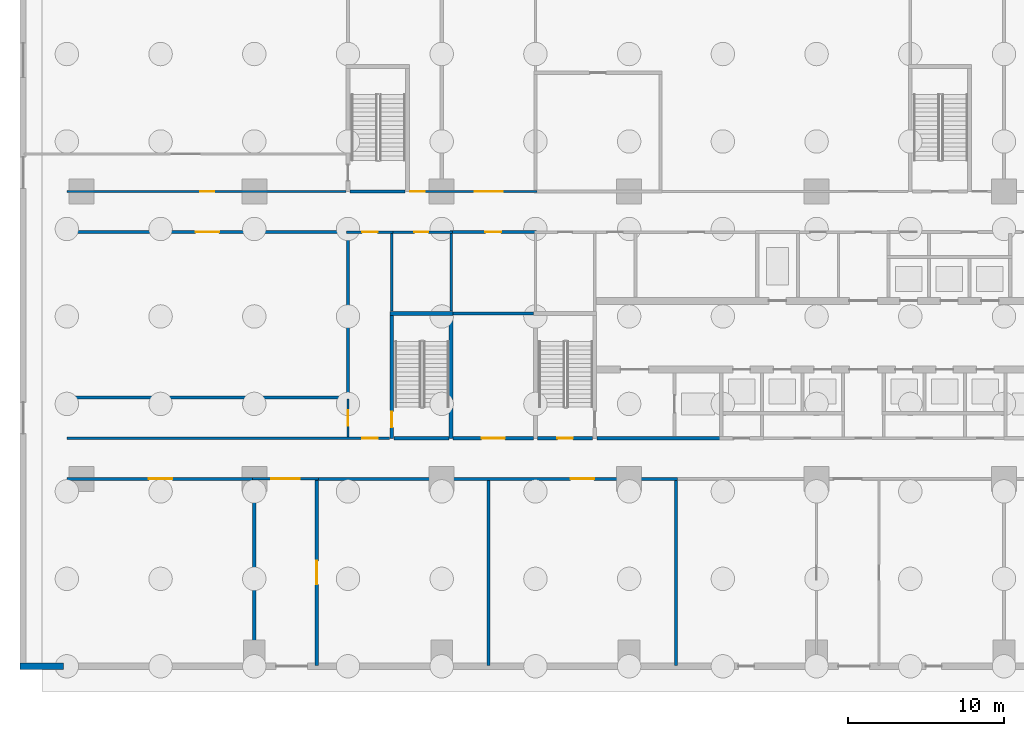
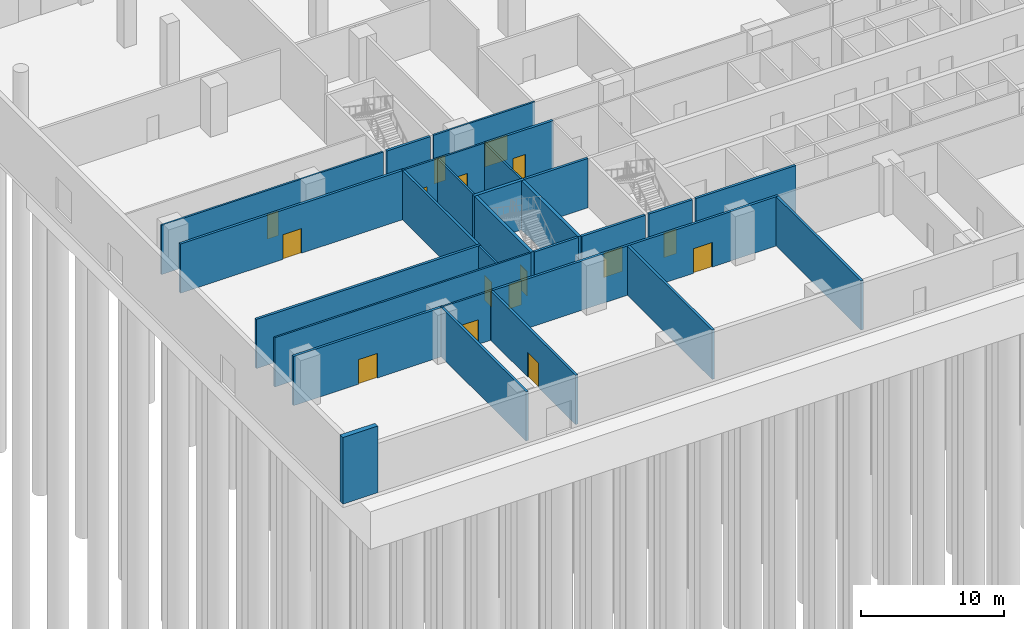
# One storey, part 12 of 27: 29 walls, 16 doors, 16 openings.
"""IFC4 building model written with IfcOpenShell, lengths in metres."""

from ifc_helpers import new_model, si_unit, direction, frame, frame_2d, origin, place, context, subcontext, project, spatial, rectangle, extrude, material, layer, layer_set, type_object, element, fill, save


model = new_model("IFC4")

# Units and contexts
model_context = context("Model", 3, precision=1e-05, world=origin(), true_north=direction((0.0, 1.0)))
body_context = subcontext(model_context, "Body", "Model", "MODEL_VIEW")
ifc_project = project(units=[si_unit("LENGTHUNIT", "METRE"), si_unit("AREAUNIT", "SQUARE_METRE"), si_unit("VOLUMEUNIT", "CUBIC_METRE"), si_unit("PLANEANGLEUNIT", "RADIAN"), si_unit("MASSUNIT", "GRAM", prefix="KILO")], contexts=[model_context])

# Site, building, storey
site_placement = place(None, origin())
site = spatial("IfcSite", under=ifc_project, at=site_placement, CompositionType="ELEMENT")
building_placement = place(site_placement, origin())
building = spatial("IfcBuilding", under=site, at=building_placement, Name="Poui Terraces", CompositionType="ELEMENT")
storey_placement = place(building_placement, origin())
storey = spatial("IfcBuildingStorey", under=building, at=storey_placement, Name="L00", CompositionType="ELEMENT", Elevation=0.0)

# Wall, opening, door
ifc_material_1 = material(Name="Fire-rated plasterboard wall")
ifc_layer_1 = layer(ifc_material_1, 0.14990234375)
ifc_layer_set_1 = layer_set([ifc_layer_1], Name="Fire-rated plasterboard wall")
wall_type_1 = type_object("IfcWallType", Name="CORRIDOR WALL 150", PredefinedType="PARTITIONING", material=ifc_layer_set_1)
wall_1_placement = place(storey_placement, frame((11.89990234375, 12.0, 0.0), z_axis=(0.0, 0.0, 1.0), x_axis=(1.0, 0.0, 0.0)))
wall_1 = element("IfcWall", 1, at=wall_1_placement, inside=storey, type_object=wall_type_1, Name="CORRIDOR WALL 150", PredefinedType="PARTITIONING", context=body_context, shape_type="SweptSolid", body=[
    extrude(rectangle(XDim=4.2001953125, YDim=0.14990234375, at=frame_2d((2.10009765625, 0.0))), origin(), (0.0, 0.0, 1.0), 4.199951171875),
])
opening_1_placement = place(wall_1_placement, frame((1.199951171875, 0.0, 0.0)))
opening_1 = element("IfcOpeningElement", 2, at=opening_1_placement, cuts=wall_1, Name="Opening FDD60", PredefinedType="OPENING", context=body_context, shape_type="SweptSolid", body=[
    extrude(rectangle(XDim=1.800048828125, YDim=2.10009765625, at=frame_2d((0.89990234375, 1.050048828125))), frame((0.0, 0.0849609375, 0.0), z_axis=(0.0, -1.0, 0.0), x_axis=(1.0, 0.0, 0.0)), (0.0, 0.0, 1.0), 0.169921875),
])
ifc_material_2 = material(Name="Steel fire door", Category="steel")
door_type_1 = type_object("IfcDoorType", Name="DOUBLE LOBBY FIRE DOOR 1800 X 2100", OperationType="DOUBLE_DOOR_SINGLE_SWING", PredefinedType="DOOR", material=ifc_material_2)
door_1_placement = place(opening_1_placement, origin())
door_1 = element("IfcDoor", 3, at=door_1_placement, inside=storey, type_object=door_type_1, Name="DOUBLE LOBBY FIRE DOOR 045", OperationType="DOUBLE_DOOR_SINGLE_SWING", OverallHeight=2.10009765625, OverallWidth=1.800048828125, PredefinedType="DOOR", context=body_context, shape_type="SweptSolid", body=[
    extrude(rectangle(XDim=1.800048828125, YDim=2.10009765625, at=frame_2d((0.89990234375, 1.050048828125))), frame((0.0, 0.02490234375, 0.0), z_axis=(0.0, -1.0, 0.0), x_axis=(1.0, 0.0, 0.0)), (0.0, 0.0, 1.0), 0.050048828125),
])
fill(opening_1, door_1)

wall_2_placement = place(storey_placement, frame((0.0, 14.60009765625, 0.0), z_axis=(0.0, 0.0, 1.0), x_axis=(1.0, 0.0, 0.0)))
wall_2 = element("IfcWall", 4, at=wall_2_placement, inside=storey, type_object=wall_type_1, Name="CORRIDOR WALL 150", PredefinedType="PARTITIONING", context=body_context, shape_type="SweptSolid", body=[
    extrude(rectangle(XDim=20.6650390625, YDim=0.14990234375, at=frame_2d((10.33251953125, 0.0))), origin(), (0.0, 0.0, 1.0), 4.199951171875),
])
opening_2_placement = place(wall_2_placement, frame((18.89990234375, 0.0, 0.0)))
opening_2 = element("IfcOpeningElement", 5, at=opening_2_placement, cuts=wall_2, Name="Opening FDL", PredefinedType="OPENING", context=body_context, shape_type="SweptSolid", body=[
    extrude(rectangle(XDim=1.0, YDim=2.10009765625, at=frame_2d((0.5, 1.050048828125))), frame((0.0, 0.0849609375, 0.0), z_axis=(0.0, -1.0, 0.0), x_axis=(1.0, 0.0, 0.0)), (0.0, 0.0, 1.0), 0.169921875),
])
door_type_2 = type_object("IfcDoorType", Name="LOBBY FIRE DOOR 1000 X 2100", OperationType="NOTDEFINED", PredefinedType="DOOR", material=ifc_material_2)
door_2_placement = place(opening_2_placement, frame((1.0, 0.0, 0.0), z_axis=(0.0, 0.0, 1.0), x_axis=(-1.0, 0.0, 0.0)))
door_2 = element("IfcDoor", 6, at=door_2_placement, inside=storey, type_object=door_type_2, Name="LOBBY FIRE DOOR 046", OperationType="SINGLE_SWING_LEFT", OverallHeight=2.10009765625, OverallWidth=1.0, PredefinedType="DOOR", context=body_context, shape_type="SweptSolid", body=[
    extrude(rectangle(XDim=1.0, YDim=2.10009765625, at=frame_2d((0.5, 1.050048828125))), frame((0.0, 0.02490234375, 0.0), z_axis=(0.0, -1.0, 0.0), x_axis=(1.0, 0.0, 0.0)), (0.0, 0.0, 1.0), 0.050048828125),
])
fill(opening_2, door_2)

wall_3_placement = place(storey_placement, frame((17.89990234375, 27.800048828125, 0.0), z_axis=(0.0, 0.0, 1.0), x_axis=(1.0, 0.0, 0.0)))
wall_3 = element("IfcWall", 7, at=wall_3_placement, inside=storey, type_object=wall_type_1, Name="CORRIDOR WALL 150", PredefinedType="PARTITIONING", context=body_context, shape_type="SweptSolid", body=[
    extrude(rectangle(XDim=2.97509765625, YDim=0.14990234375, at=frame_2d((1.487548828125, 0.0))), origin(), (0.0, 0.0, 1.0), 4.199951171875),
])
opening_3_placement = place(wall_3_placement, frame((1.0, 0.0, 0.0)))
opening_3 = element("IfcOpeningElement", 8, at=opening_3_placement, cuts=wall_3, Name="Opening FDL", PredefinedType="OPENING", context=body_context, shape_type="SweptSolid", body=[
    extrude(rectangle(XDim=1.0, YDim=2.10009765625, at=frame_2d((0.5, 1.050048828125))), frame((0.0, 0.0849609375, 0.0), z_axis=(0.0, -1.0, 0.0), x_axis=(1.0, 0.0, 0.0)), (0.0, 0.0, 1.0), 0.169921875),
])
door_3_placement = place(opening_3_placement, origin())
door_3 = element("IfcDoor", 9, at=door_3_placement, inside=storey, type_object=door_type_2, Name="LOBBY FIRE DOOR 020", OperationType="SINGLE_SWING_RIGHT", OverallHeight=2.10009765625, OverallWidth=1.0, PredefinedType="DOOR", context=body_context, shape_type="SweptSolid", body=[
    extrude(rectangle(XDim=1.0, YDim=2.10009765625, at=frame_2d((0.5, 1.050048828125))), frame((0.0, 0.02490234375, 0.0), z_axis=(0.0, -1.0, 0.0), x_axis=(1.0, 0.0, 0.0)), (0.0, 0.0, 1.0), 0.050048828125),
])
fill(opening_3, door_3)

wall_4_placement = place(storey_placement, frame((0.0, 30.39990234375, 0.0), z_axis=(0.0, 0.0, 1.0), x_axis=(1.0, 0.0, 0.0)))
wall_4 = element("IfcWall", 10, at=wall_4_placement, inside=storey, type_object=wall_type_1, Name="CORRIDOR WALL 150", PredefinedType="PARTITIONING", context=body_context, shape_type="SweptSolid", body=[
    extrude(rectangle(XDim=17.864990234375, YDim=0.14990234375, at=frame_2d((8.9326171875, 0.0))), origin(), (0.0, 0.0, 1.0), 4.199951171875),
])
opening_4_placement = place(wall_4_placement, frame((8.550048828125, 0.0, 0.0)))
opening_4 = element("IfcOpeningElement", 11, at=opening_4_placement, cuts=wall_4, Name="Opening D90", PredefinedType="OPENING", context=body_context, shape_type="SweptSolid", body=[
    extrude(rectangle(XDim=0.89990234375, YDim=2.10009765625, at=frame_2d((0.449951171875, 1.050048828125))), frame((0.0, 0.0849609375, 0.0), z_axis=(0.0, -1.0, 0.0), x_axis=(1.0, 0.0, 0.0)), (0.0, 0.0, 1.0), 0.169921875),
])
ifc_material_3 = material(Name="Solid core timber door", Category="wood")
door_type_3 = type_object("IfcDoorType", Name="INTERNAL DOOR 900 X 2100", OperationType="NOTDEFINED", PredefinedType="DOOR", material=ifc_material_3)
door_4_placement = place(opening_4_placement, frame((0.89990234375, 0.0, 0.0), z_axis=(0.0, 0.0, 1.0), x_axis=(-1.0, 0.0, 0.0)))
door_4 = element("IfcDoor", 12, at=door_4_placement, inside=storey, type_object=door_type_3, Name="INTERNAL DOOR 019", OperationType="SINGLE_SWING_RIGHT", OverallHeight=2.10009765625, OverallWidth=0.89990234375, PredefinedType="DOOR", context=body_context, shape_type="SweptSolid", body=[
    extrude(rectangle(XDim=0.89990234375, YDim=2.10009765625, at=frame_2d((0.449951171875, 1.050048828125))), frame((0.0, 0.02490234375, 0.0), z_axis=(0.0, -1.0, 0.0), x_axis=(1.0, 0.0, 0.0)), (0.0, 0.0, 1.0), 0.050048828125),
])
fill(opening_4, door_4)

# Wall, openings, doors
wall_5_placement = place(storey_placement, frame((21.93505859375, 30.39990234375, 0.0), z_axis=(0.0, 0.0, 1.0), x_axis=(1.0, 0.0, 0.0)))
wall_5 = element("IfcWall", 13, at=wall_5_placement, inside=storey, type_object=wall_type_1, Name="CORRIDOR WALL 150", PredefinedType="PARTITIONING", context=body_context, shape_type="SweptSolid", body=[
    extrude(rectangle(XDim=8.1650390625, YDim=0.14990234375, at=frame_2d((4.08251953125, 0.0))), origin(), (0.0, 0.0, 1.0), 4.199951171875),
])
opening_5_placement = place(wall_5_placement, frame((0.06494140625, 0.0, 0.0)))
opening_5 = element("IfcOpeningElement", 14, at=opening_5_placement, cuts=wall_5, Name="Opening D90", PredefinedType="OPENING", context=body_context, shape_type="SweptSolid", body=[
    extrude(rectangle(XDim=0.89990234375, YDim=2.10009765625, at=frame_2d((0.449951171875, 1.050048828125))), frame((0.0, 0.0849609375, 0.0), z_axis=(0.0, -1.0, 0.0), x_axis=(1.0, 0.0, 0.0)), (0.0, 0.0, 1.0), 0.169921875),
])
opening_6_placement = place(wall_5_placement, frame((4.1650390625, 0.0, 0.0)))
opening_6 = element("IfcOpeningElement", 15, at=opening_6_placement, cuts=wall_5, Name="Opening DD180", PredefinedType="OPENING", context=body_context, shape_type="SweptSolid", body=[
    extrude(rectangle(XDim=1.800048828125, YDim=2.10009765625, at=frame_2d((0.89990234375, 1.050048828125))), frame((0.0, 0.0849609375, 0.0), z_axis=(0.0, -1.0, 0.0), x_axis=(1.0, 0.0, 0.0)), (0.0, 0.0, 1.0), 0.169921875),
])
door_type_4 = type_object("IfcDoorType", Name="DOUBLE INTERNAL DOOR 1800 X 2100", OperationType="DOUBLE_DOOR_SINGLE_SWING", PredefinedType="DOOR", material=ifc_material_2)
door_5_placement = place(opening_6_placement, frame((1.800048828125, 0.0, 0.0), z_axis=(0.0, 0.0, 1.0), x_axis=(-1.0, 0.0, 0.0)))
door_5 = element("IfcDoor", 16, at=door_5_placement, inside=storey, type_object=door_type_4, Name="DOUBLE INTERNAL DOOR 023", OperationType="DOUBLE_DOOR_SINGLE_SWING", OverallHeight=2.10009765625, OverallWidth=1.800048828125, PredefinedType="DOOR", context=body_context, shape_type="SweptSolid", body=[
    extrude(rectangle(XDim=1.800048828125, YDim=2.10009765625, at=frame_2d((0.89990234375, 1.050048828125))), frame((0.0, 0.02490234375, 0.0), z_axis=(0.0, -1.0, 0.0), x_axis=(1.0, 0.0, 0.0)), (0.0, 0.0, 1.0), 0.050048828125),
])
fill(opening_6, door_5)
door_6_placement = place(opening_5_placement, frame((0.89990234375, 0.0, 0.0), z_axis=(0.0, 0.0, 1.0), x_axis=(-1.0, 0.0, 0.0)))
door_6 = element("IfcDoor", 17, at=door_6_placement, inside=storey, type_object=door_type_3, Name="INTERNAL DOOR 021", OperationType="SINGLE_SWING_LEFT", OverallHeight=2.10009765625, OverallWidth=0.89990234375, PredefinedType="DOOR", context=body_context, shape_type="SweptSolid", body=[
    extrude(rectangle(XDim=0.89990234375, YDim=2.10009765625, at=frame_2d((0.449951171875, 1.050048828125))), frame((0.0, 0.02490234375, 0.0), z_axis=(0.0, -1.0, 0.0), x_axis=(1.0, 0.0, 0.0)), (0.0, 0.0, 1.0), 0.050048828125),
])
fill(opening_5, door_6)

# Wall, opening, door
wall_6_placement = place(storey_placement, frame((18.0, 14.675048828125, 0.0), z_axis=(0.0, 0.0, 1.0), x_axis=(0.0, 1.0, 0.0)))
wall_6 = element("IfcWall", 18, at=wall_6_placement, inside=storey, type_object=wall_type_1, Name="CORRIDOR WALL 150", PredefinedType="PARTITIONING", context=body_context, shape_type="SweptSolid", body=[
    extrude(rectangle(XDim=2.425048828125, YDim=0.14990234375, at=frame_2d((1.21240234375, 0.0))), origin(), (0.0, 0.0, 1.0), 4.199951171875),
])
opening_7_placement = place(wall_6_placement, frame((0.72509765625, 0.0, 0.0)))
opening_7 = element("IfcOpeningElement", 19, at=opening_7_placement, cuts=wall_6, Name="Opening FDL", PredefinedType="OPENING", context=body_context, shape_type="SweptSolid", body=[
    extrude(rectangle(XDim=1.0, YDim=2.10009765625, at=frame_2d((0.5, 1.050048828125))), frame((0.0, 0.0849609375, 0.0), z_axis=(0.0, -1.0, 0.0), x_axis=(1.0, 0.0, 0.0)), (0.0, 0.0, 1.0), 0.169921875),
])
door_7_placement = place(opening_7_placement, frame((1.0, 0.0, 0.0), z_axis=(0.0, 0.0, 1.0), x_axis=(-1.0, 0.0, 0.0)))
door_7 = element("IfcDoor", 20, at=door_7_placement, inside=storey, type_object=door_type_2, Name="LOBBY FIRE DOOR 113", OperationType="SINGLE_SWING_LEFT", OverallHeight=2.10009765625, OverallWidth=1.0, PredefinedType="DOOR", context=body_context, shape_type="SweptSolid", body=[
    extrude(rectangle(XDim=1.0, YDim=2.10009765625, at=frame_2d((0.5, 1.050048828125))), frame((0.0, 0.02490234375, 0.0), z_axis=(0.0, -1.0, 0.0), x_axis=(1.0, 0.0, 0.0)), (0.0, 0.0, 1.0), 0.050048828125),
])
fill(opening_7, door_7)

# Wall
ifc_material_4 = material(Name="Precast concrete 40 MPa", Category="concrete")
ifc_layer_2 = layer(ifc_material_4, 0.39990234375)
ifc_layer_set_2 = layer_set([ifc_layer_2], Name="Precast concrete 40 MPa")
wall_type_2 = type_object("IfcWallType", Name="EXTERNAL WALL 400", PredefinedType="STANDARD", material=ifc_layer_set_2)
wall_7_placement = place(storey_placement, frame((-3.0, 0.0, 0.0), z_axis=(0.0, 0.0, 1.0), x_axis=(1.0, 0.0, 0.0)))
element("IfcWall", 21, at=wall_7_placement, inside=storey, type_object=wall_type_2, Name="EXTERNAL WALL S", PredefinedType="STANDARD", context=body_context, shape_type="SweptSolid", body=[
    extrude(rectangle(XDim=2.800048828125, YDim=0.39990234375, at=frame_2d((1.39990234375, 0.0))), origin(), (0.0, 0.0, 1.0), 5.679931640625),
])

# Wall, opening, door
ifc_material_5 = material(Name="Fire-rated masonry wall", Category="masonry")
ifc_layer_3 = layer(ifc_material_5, 0.199951171875)
ifc_layer_set_3 = layer_set([ifc_layer_3], Name="Fire-rated masonry wall")
wall_type_3 = type_object("IfcWallType", Name="PLANT ROOM WALL 200", PredefinedType="PARTITIONING", material=ifc_layer_set_3)
wall_8_placement = place(storey_placement, frame((0.0, 12.0, 0.0), z_axis=(0.0, 0.0, 1.0), x_axis=(1.0, 0.0, 0.0)))
wall_8 = element("IfcWall", 22, at=wall_8_placement, inside=storey, type_object=wall_type_3, Name="PLANT ROOM WALL 200", PredefinedType="PARTITIONING", context=body_context, shape_type="SweptSolid", body=[
    extrude(rectangle(XDim=12.10009765625, YDim=0.199951171875, at=frame_2d((6.050048828125, 0.0))), origin(), (0.0, 0.0, 1.0), 4.199951171875),
])
opening_8_placement = place(wall_8_placement, frame((5.25, 0.0, 0.0)))
opening_8 = element("IfcOpeningElement", 23, at=opening_8_placement, cuts=wall_8, Name="Opening FDP", PredefinedType="OPENING", context=body_context, shape_type="SweptSolid", body=[
    extrude(rectangle(XDim=1.5, YDim=2.10009765625, at=frame_2d((0.75, 1.050048828125))), frame((0.0, 0.10986328125, 0.0), z_axis=(0.0, -1.0, 0.0), x_axis=(1.0, 0.0, 0.0)), (0.0, 0.0, 1.0), 0.219970703125),
])
door_type_5 = type_object("IfcDoorType", Name="PLANT ROOM DOOR PAIR 1500 X 2100", OperationType="DOUBLE_DOOR_SINGLE_SWING", PredefinedType="DOOR", material=ifc_material_2)
door_8_placement = place(opening_8_placement, origin())
door_8 = element("IfcDoor", 24, at=door_8_placement, inside=storey, type_object=door_type_5, Name="PLANT ROOM DOOR PAIR 044", OperationType="DOUBLE_DOOR_SINGLE_SWING", OverallHeight=2.10009765625, OverallWidth=1.5, PredefinedType="DOOR", context=body_context, shape_type="SweptSolid", body=[
    extrude(rectangle(XDim=1.5, YDim=2.10009765625, at=frame_2d((0.75, 1.050048828125))), frame((0.0, 0.02490234375, 0.0), z_axis=(0.0, -1.0, 0.0), x_axis=(1.0, 0.0, 0.0)), (0.0, 0.0, 1.0), 0.050048828125),
])
fill(opening_8, door_8)

wall_9_placement = place(storey_placement, frame((15.89990234375, 12.0, 0.0), z_axis=(0.0, 0.0, 1.0), x_axis=(1.0, 0.0, 0.0)))
wall_9 = element("IfcWall", 25, at=wall_9_placement, inside=storey, type_object=wall_type_3, Name="PLANT ROOM WALL 200", PredefinedType="PARTITIONING", context=body_context, shape_type="SweptSolid", body=[
    extrude(rectangle(XDim=23.2001953125, YDim=0.199951171875, at=frame_2d((11.60009765625, 0.0))), origin(), (0.0, 0.0, 1.0), 4.199951171875),
])
opening_9_placement = place(wall_9_placement, frame((16.35009765625, 0.0, 0.0)))
opening_9 = element("IfcOpeningElement", 26, at=opening_9_placement, cuts=wall_9, Name="Opening FDP", PredefinedType="OPENING", context=body_context, shape_type="SweptSolid", body=[
    extrude(rectangle(XDim=1.5, YDim=2.10009765625, at=frame_2d((0.75, 1.050048828125))), frame((0.0, 0.10986328125, 0.0), z_axis=(0.0, -1.0, 0.0), x_axis=(1.0, 0.0, 0.0)), (0.0, 0.0, 1.0), 0.219970703125),
])
door_9_placement = place(opening_9_placement, origin())
door_9 = element("IfcDoor", 27, at=door_9_placement, inside=storey, type_object=door_type_5, Name="PLANT ROOM DOOR PAIR 049", OperationType="DOUBLE_DOOR_SINGLE_SWING", OverallHeight=2.10009765625, OverallWidth=1.5, PredefinedType="DOOR", context=body_context, shape_type="SweptSolid", body=[
    extrude(rectangle(XDim=1.5, YDim=2.10009765625, at=frame_2d((0.75, 1.050048828125))), frame((0.0, 0.02490234375, 0.0), z_axis=(0.0, -1.0, 0.0), x_axis=(1.0, 0.0, 0.0)), (0.0, 0.0, 1.0), 0.050048828125),
])
fill(opening_9, door_9)

wall_10_placement = place(storey_placement, frame((24.735107421875, 14.60009765625, 0.0), z_axis=(0.0, 0.0, 1.0), x_axis=(1.0, 0.0, 0.0)))
wall_10 = element("IfcWall", 28, at=wall_10_placement, inside=storey, type_object=wall_type_3, Name="PLANT ROOM WALL 200", PredefinedType="PARTITIONING", context=body_context, shape_type="SweptSolid", body=[
    extrude(rectangle(XDim=5.1298828125, YDim=0.199951171875, at=frame_2d((2.56494140625, 0.0))), origin(), (0.0, 0.0, 1.0), 4.199951171875),
])
opening_10_placement = place(wall_10_placement, frame((1.81494140625, 0.0, 0.0)))
opening_10 = element("IfcOpeningElement", 29, at=opening_10_placement, cuts=wall_10, Name="Opening FDP", PredefinedType="OPENING", context=body_context, shape_type="SweptSolid", body=[
    extrude(rectangle(XDim=1.5, YDim=2.10009765625, at=frame_2d((0.75, 1.050048828125))), frame((0.0, 0.10986328125, 0.0), z_axis=(0.0, -1.0, 0.0), x_axis=(1.0, 0.0, 0.0)), (0.0, 0.0, 1.0), 0.219970703125),
])
door_10_placement = place(opening_10_placement, frame((1.5, 0.0, 0.0), z_axis=(0.0, 0.0, 1.0), x_axis=(-1.0, 0.0, 0.0)))
door_10 = element("IfcDoor", 30, at=door_10_placement, inside=storey, type_object=door_type_5, Name="PLANT ROOM DOOR PAIR 047", OperationType="DOUBLE_DOOR_SINGLE_SWING", OverallHeight=2.10009765625, OverallWidth=1.5, PredefinedType="DOOR", context=body_context, shape_type="SweptSolid", body=[
    extrude(rectangle(XDim=1.5, YDim=2.10009765625, at=frame_2d((0.75, 1.050048828125))), frame((0.0, 0.02490234375, 0.0), z_axis=(0.0, -1.0, 0.0), x_axis=(1.0, 0.0, 0.0)), (0.0, 0.0, 1.0), 0.050048828125),
])
fill(opening_10, door_10)

# Walls
wall_11_placement = place(storey_placement, frame((0.0, 17.199951171875, 0.0), z_axis=(0.0, 0.0, 1.0), x_axis=(1.0, 0.0, 0.0)))
element("IfcWall", 31, at=wall_11_placement, inside=storey, type_object=wall_type_3, Name="PLANT ROOM WALL 200", PredefinedType="PARTITIONING", context=body_context, shape_type="SweptSolid", body=[
    extrude(rectangle(XDim=18.10009765625, YDim=0.199951171875, at=frame_2d((9.050048828125, 0.0))), origin(), (0.0, 0.0, 1.0), 4.199951171875),
])
wall_12_placement = place(storey_placement, frame((24.735107421875, 22.60009765625, 0.0), z_axis=(0.0, 0.0, 1.0), x_axis=(1.0, 0.0, 0.0)))
element("IfcWall", 32, at=wall_12_placement, inside=storey, type_object=wall_type_3, Name="PLANT ROOM WALL 200", PredefinedType="PARTITIONING", context=body_context, shape_type="SweptSolid", body=[
    extrude(rectangle(XDim=5.1298828125, YDim=0.199951171875, at=frame_2d((2.56494140625, 0.0))), origin(), (0.0, 0.0, 1.0), 4.199951171875),
])

# Wall, opening, door
wall_13_placement = place(storey_placement, frame((0.0, 27.800048828125, 0.0), z_axis=(0.0, 0.0, 1.0), x_axis=(1.0, 0.0, 0.0)))
wall_13 = element("IfcWall", 33, at=wall_13_placement, inside=storey, type_object=wall_type_3, Name="PLANT ROOM WALL 200", PredefinedType="PARTITIONING", context=body_context, shape_type="SweptSolid", body=[
    extrude(rectangle(XDim=18.10009765625, YDim=0.199951171875, at=frame_2d((9.050048828125, 0.0))), origin(), (0.0, 0.0, 1.0), 4.199951171875),
])
opening_11_placement = place(wall_13_placement, frame((8.25, 0.0, 0.0)))
opening_11 = element("IfcOpeningElement", 34, at=opening_11_placement, cuts=wall_13, Name="Opening FDP", PredefinedType="OPENING", context=body_context, shape_type="SweptSolid", body=[
    extrude(rectangle(XDim=1.5, YDim=2.10009765625, at=frame_2d((0.75, 1.050048828125))), frame((0.0, 0.10986328125, 0.0), z_axis=(0.0, -1.0, 0.0), x_axis=(1.0, 0.0, 0.0)), (0.0, 0.0, 1.0), 0.219970703125),
])
door_11_placement = place(opening_11_placement, origin())
door_11 = element("IfcDoor", 35, at=door_11_placement, inside=storey, type_object=door_type_5, Name="PLANT ROOM DOOR PAIR 018", OperationType="DOUBLE_DOOR_SINGLE_SWING", OverallHeight=2.10009765625, OverallWidth=1.5, PredefinedType="DOOR", context=body_context, shape_type="SweptSolid", body=[
    extrude(rectangle(XDim=1.5, YDim=2.10009765625, at=frame_2d((0.75, 1.050048828125))), frame((0.0, 0.02490234375, 0.0), z_axis=(0.0, -1.0, 0.0), x_axis=(1.0, 0.0, 0.0)), (0.0, 0.0, 1.0), 0.050048828125),
])
fill(opening_11, door_11)

wall_14_placement = place(storey_placement, frame((24.52490234375, 27.800048828125, 0.0), z_axis=(0.0, 0.0, 1.0), x_axis=(1.0, 0.0, 0.0)))
wall_14 = element("IfcWall", 36, at=wall_14_placement, inside=storey, type_object=wall_type_3, Name="PLANT ROOM WALL 200", PredefinedType="PARTITIONING", context=body_context, shape_type="SweptSolid", body=[
    extrude(rectangle(XDim=5.550048828125, YDim=0.199951171875, at=frame_2d((2.77490234375, 0.0))), origin(), (0.0, 0.0, 1.0), 4.199951171875),
])
opening_12_placement = place(wall_14_placement, frame((2.27490234375, 0.0, 0.0)))
opening_12 = element("IfcOpeningElement", 37, at=opening_12_placement, cuts=wall_14, Name="Opening FD60", PredefinedType="OPENING", context=body_context, shape_type="SweptSolid", body=[
    extrude(rectangle(XDim=1.0, YDim=2.10009765625, at=frame_2d((0.5, 1.050048828125))), frame((0.0, 0.10986328125, 0.0), z_axis=(0.0, -1.0, 0.0), x_axis=(1.0, 0.0, 0.0)), (0.0, 0.0, 1.0), 0.219970703125),
])
door_type_6 = type_object("IfcDoorType", Name="SERVICE ROOM FIRE DOOR 1000 X 2100", OperationType="NOTDEFINED", PredefinedType="DOOR", material=ifc_material_2)
door_12_placement = place(opening_12_placement, origin())
door_12 = element("IfcDoor", 38, at=door_12_placement, inside=storey, type_object=door_type_6, Name="SERVICE ROOM FIRE DOOR 024", OperationType="SINGLE_SWING_LEFT", OverallHeight=2.10009765625, OverallWidth=1.0, PredefinedType="DOOR", context=body_context, shape_type="SweptSolid", body=[
    extrude(rectangle(XDim=1.0, YDim=2.10009765625, at=frame_2d((0.5, 1.050048828125))), frame((0.0, 0.02490234375, 0.0), z_axis=(0.0, -1.0, 0.0), x_axis=(1.0, 0.0, 0.0)), (0.0, 0.0, 1.0), 0.050048828125),
])
fill(opening_12, door_12)

# Wall
wall_15_placement = place(storey_placement, frame((12.0, 0.06005859375, 0.0), z_axis=(0.0, 0.0, 1.0), x_axis=(0.0, 1.0, 0.0)))
element("IfcWall", 39, at=wall_15_placement, inside=storey, type_object=wall_type_3, Name="PLANT ROOM WALL 200", PredefinedType="PARTITIONING", context=body_context, shape_type="SweptSolid", body=[
    extrude(rectangle(XDim=11.83984375, YDim=0.199951171875, at=frame_2d((5.919921875, 0.0))), origin(), (0.0, 0.0, 1.0), 4.199951171875),
])

# Wall, opening, door
wall_16_placement = place(storey_placement, frame((16.0, 0.06005859375, 0.0), z_axis=(0.0, 0.0, 1.0), x_axis=(0.0, 1.0, 0.0)))
wall_16 = element("IfcWall", 40, at=wall_16_placement, inside=storey, type_object=wall_type_3, Name="PLANT ROOM WALL 200", PredefinedType="PARTITIONING", context=body_context, shape_type="SweptSolid", body=[
    extrude(rectangle(XDim=11.83984375, YDim=0.199951171875, at=frame_2d((5.919921875, 0.0))), origin(), (0.0, 0.0, 1.0), 4.199951171875),
])
opening_13_placement = place(wall_16_placement, frame((5.18994140625, 0.0, 0.0)))
opening_13 = element("IfcOpeningElement", 41, at=opening_13_placement, cuts=wall_16, Name="Opening FDP", PredefinedType="OPENING", context=body_context, shape_type="SweptSolid", body=[
    extrude(rectangle(XDim=1.5, YDim=2.10009765625, at=frame_2d((0.75, 1.050048828125))), frame((0.0, 0.10986328125, 0.0), z_axis=(0.0, -1.0, 0.0), x_axis=(1.0, 0.0, 0.0)), (0.0, 0.0, 1.0), 0.219970703125),
])
door_13_placement = place(opening_13_placement, origin())
door_13 = element("IfcDoor", 42, at=door_13_placement, inside=storey, type_object=door_type_5, Name="PLANT ROOM DOOR PAIR 002", OperationType="DOUBLE_DOOR_SINGLE_SWING", OverallHeight=2.10009765625, OverallWidth=1.5, PredefinedType="DOOR", context=body_context, shape_type="SweptSolid", body=[
    extrude(rectangle(XDim=1.5, YDim=2.10009765625, at=frame_2d((0.75, 1.050048828125))), frame((0.0, 0.02490234375, 0.0), z_axis=(0.0, -1.0, 0.0), x_axis=(1.0, 0.0, 0.0)), (0.0, 0.0, 1.0), 0.050048828125),
])
fill(opening_13, door_13)

# Walls
wall_17_placement = place(storey_placement, frame((18.0, 17.300048828125, 0.0), z_axis=(0.0, 0.0, 1.0), x_axis=(0.0, 1.0, 0.0)))
element("IfcWall", 43, at=wall_17_placement, inside=storey, type_object=wall_type_3, Name="PLANT ROOM WALL 200", PredefinedType="PARTITIONING", context=body_context, shape_type="SweptSolid", body=[
    extrude(rectangle(XDim=10.39990234375, YDim=0.199951171875, at=frame_2d((5.199951171875, 0.0))), origin(), (0.0, 0.0, 1.0), 4.199951171875),
])
for number, where, z_axis, x_axis, name in (
    (44, (27.0, 0.06005859375, 0.0), (0.0, 0.0, 1.0), (0.0, 1.0, 0.0), "PLANT ROOM WALL 200"),
    (45, (39.0, 0.06005859375, 0.0), (0.0, 0.0, 1.0), (0.0, 1.0, 0.0), "PLANT ROOM WALL 200"),
):
    element("IfcWall", number, at=place(storey_placement, frame(where, z_axis=z_axis, x_axis=x_axis)), inside=storey, type_object=wall_type_3, Name=name, PredefinedType="PARTITIONING", context=body_context, shape_type="SweptSolid", body=[
        extrude(rectangle(XDim=11.83984375, YDim=0.199951171875, at=frame_2d((5.919921875, 0.0))), origin(), (0.0, 0.0, 1.0), 4.199951171875),
    ])

# Wall, opening, door
ifc_material_6 = material(Name="Fire-rated plasterboard riser wall")
ifc_layer_4 = layer(ifc_material_6, 0.14990234375)
ifc_layer_set_4 = layer_set([ifc_layer_4], Name="Fire-rated plasterboard riser wall")
wall_type_4 = type_object("IfcWallType", Name="RISER WALL 150", PredefinedType="PARTITIONING", material=ifc_layer_set_4)
wall_18_placement = place(storey_placement, frame((20.72509765625, 27.800048828125, 0.0), z_axis=(0.0, 0.0, 1.0), x_axis=(1.0, 0.0, 0.0)))
wall_18 = element("IfcWall", 46, at=wall_18_placement, inside=storey, type_object=wall_type_4, Name="RISER WALL 150", PredefinedType="PARTITIONING", context=body_context, shape_type="SweptSolid", body=[
    extrude(rectangle(XDim=3.949951171875, YDim=0.14990234375, at=frame_2d((1.97509765625, 0.0))), origin(), (0.0, 0.0, 1.0), 4.199951171875),
])
opening_14_placement = place(wall_18_placement, frame((1.52490234375, 0.0, 0.0)))
opening_14 = element("IfcOpeningElement", 47, at=opening_14_placement, cuts=wall_18, Name="Opening FDR", PredefinedType="OPENING", context=body_context, shape_type="SweptSolid", body=[
    extrude(rectangle(XDim=0.89990234375, YDim=2.10009765625, at=frame_2d((0.449951171875, 1.050048828125))), frame((0.0, 0.0849609375, 0.0), z_axis=(0.0, -1.0, 0.0), x_axis=(1.0, 0.0, 0.0)), (0.0, 0.0, 1.0), 0.169921875),
])
door_type_7 = type_object("IfcDoorType", Name="RISER CUPBOARD DOOR 900 X 2100", OperationType="NOTDEFINED", PredefinedType="DOOR", material=ifc_material_2)
door_14_placement = place(opening_14_placement, origin())
door_14 = element("IfcDoor", 48, at=door_14_placement, inside=storey, type_object=door_type_7, Name="RISER CUPBOARD DOOR 022", OperationType="SINGLE_SWING_RIGHT", OverallHeight=2.10009765625, OverallWidth=0.89990234375, PredefinedType="DOOR", context=body_context, shape_type="SweptSolid", body=[
    extrude(rectangle(XDim=0.89990234375, YDim=2.10009765625, at=frame_2d((0.449951171875, 1.050048828125))), frame((0.0, 0.02490234375, 0.0), z_axis=(0.0, -1.0, 0.0), x_axis=(1.0, 0.0, 0.0)), (0.0, 0.0, 1.0), 0.050048828125),
])
fill(opening_14, door_14)

# Walls
wall_19_placement = place(storey_placement, frame((20.800048828125, 22.735107421875, 0.0), z_axis=(0.0, 0.0, 1.0), x_axis=(0.0, 1.0, 0.0)))
element("IfcWall", 49, at=wall_19_placement, inside=storey, type_object=wall_type_4, Name="RISER WALL 150", PredefinedType="PARTITIONING", context=body_context, shape_type="SweptSolid", body=[
    extrude(rectangle(XDim=4.989990234375, YDim=0.14990234375, at=frame_2d((2.4951171875, 0.0))), origin(), (0.0, 0.0, 1.0), 4.199951171875),
])
wall_20_placement = place(storey_placement, frame((24.60009765625, 22.735107421875, 0.0), z_axis=(0.0, 0.0, 1.0), x_axis=(0.0, 1.0, 0.0)))
element("IfcWall", 50, at=wall_20_placement, inside=storey, type_object=wall_type_4, Name="RISER WALL 150", PredefinedType="PARTITIONING", context=body_context, shape_type="SweptSolid", body=[
    extrude(rectangle(XDim=4.96484375, YDim=0.14990234375, at=frame_2d((2.482421875, 0.0))), origin(), (0.0, 0.0, 1.0), 4.199951171875),
])
ifc_material_7 = material(Name="Fire-rated masonry shaft wall", Category="masonry")
ifc_layer_5 = layer(ifc_material_7, 0.199951171875)
ifc_layer_set_5 = layer_set([ifc_layer_5], Name="Fire-rated masonry shaft wall")
wall_type_5 = type_object("IfcWallType", Name="SHAFT WALL 200", PredefinedType="PARTITIONING", material=ifc_layer_set_5)
wall_21_placement = place(storey_placement, frame((33.93505859375, 14.60009765625, 0.0), z_axis=(0.0, 0.0, 1.0), x_axis=(1.0, 0.0, 0.0)))
element("IfcWall", 51, at=wall_21_placement, inside=storey, type_object=wall_type_5, Name="SHAFT WALL 200", PredefinedType="PARTITIONING", context=body_context, shape_type="SweptSolid", body=[
    extrude(rectangle(XDim=8.06494140625, YDim=0.199951171875, at=frame_2d((4.032470703125, 0.0))), origin(), (0.0, 0.0, 1.0), 4.199951171875),
])

# Wall, opening, door
ifc_material_8 = material(Name="Concrete 80 MPa", Category="concrete")
ifc_layer_6 = layer(ifc_material_8, 0.25)
ifc_layer_set_6 = layer_set([ifc_layer_6], Name="Concrete 80 MPa")
wall_type_6 = type_object("IfcWallType", Name="STAIR CORE WALL 250 80 MPA", PredefinedType="SOLIDWALL", material=ifc_layer_set_6)
wall_22_placement = place(storey_placement, frame((20.800048828125, 14.60009765625, 0.0), z_axis=(0.0, 0.0, 1.0), x_axis=(0.0, 1.0, 0.0)))
wall_22 = element("IfcWall", 52, at=wall_22_placement, inside=storey, type_object=wall_type_6, Name="STAIR CORE WALL", PredefinedType="SOLIDWALL", context=body_context, shape_type="SweptSolid", body=[
    extrude(rectangle(XDim=7.875, YDim=0.25, at=frame_2d((3.9375, 0.0))), origin(), (0.0, 0.0, 1.0), 4.199951171875),
])
opening_15_placement = place(wall_22_placement, frame((0.699951171875, 0.0, 0.0)))
opening_15 = element("IfcOpeningElement", 53, at=opening_15_placement, cuts=wall_22, Name="Opening FD60S", PredefinedType="OPENING", context=body_context, shape_type="SweptSolid", body=[
    extrude(rectangle(XDim=1.0, YDim=2.10009765625, at=frame_2d((0.5, 1.050048828125))), frame((0.0, 0.135009765625, 0.0), z_axis=(0.0, -1.0, 0.0), x_axis=(1.0, 0.0, 0.0)), (0.0, 0.0, 1.0), 0.27001953125),
])
door_type_8 = type_object("IfcDoorType", Name="STAIR DOOR 1000 X 2100", OperationType="NOTDEFINED", PredefinedType="DOOR", material=ifc_material_2)
door_15_placement = place(opening_15_placement, frame((1.0, 0.0, 0.0), z_axis=(0.0, 0.0, 1.0), x_axis=(-1.0, 0.0, 0.0)))
door_15 = element("IfcDoor", 54, at=door_15_placement, inside=storey, type_object=door_type_8, Name="STAIR DOOR 114", OperationType="SINGLE_SWING_LEFT", OverallHeight=2.10009765625, OverallWidth=1.0, PredefinedType="DOOR", context=body_context, shape_type="SweptSolid", body=[
    extrude(rectangle(XDim=1.0, YDim=2.10009765625, at=frame_2d((0.5, 1.050048828125))), frame((0.0, 0.02490234375, 0.0), z_axis=(0.0, -1.0, 0.0), x_axis=(1.0, 0.0, 0.0)), (0.0, 0.0, 1.0), 0.050048828125),
])
fill(opening_15, door_15)

# Walls
wall_23_placement = place(storey_placement, frame((24.60009765625, 14.60009765625, 0.0), z_axis=(0.0, 0.0, 1.0), x_axis=(0.0, 1.0, 0.0)))
element("IfcWall", 55, at=wall_23_placement, inside=storey, type_object=wall_type_6, Name="STAIR CORE WALL", PredefinedType="SOLIDWALL", context=body_context, shape_type="SweptSolid", body=[
    extrude(rectangle(XDim=7.875, YDim=0.25, at=frame_2d((3.9375, 0.0))), origin(), (0.0, 0.0, 1.0), 4.199951171875),
])
wall_24_placement = place(storey_placement, frame((20.675048828125, 22.60009765625, 0.0), z_axis=(0.0, 0.0, 1.0), x_axis=(1.0, 0.0, 0.0)))
element("IfcWall", 56, at=wall_24_placement, inside=storey, type_object=wall_type_6, Name="STAIR CORE WALL", PredefinedType="SOLIDWALL", context=body_context, shape_type="SweptSolid", body=[
    extrude(rectangle(XDim=4.050048828125, YDim=0.25, at=frame_2d((2.02490234375, 0.0))), origin(), (0.0, 0.0, 1.0), 4.199951171875),
])
ifc_layer_7 = layer(ifc_material_5, 0.199951171875)
ifc_layer_set_7 = layer_set([ifc_layer_7], Name="Fire-rated masonry wall")
wall_type_7 = type_object("IfcWallType", Name="STAIR WALL 200", PredefinedType="PARTITIONING", material=ifc_layer_set_7)
wall_25_placement = place(storey_placement, frame((20.93505859375, 14.60009765625, 0.0), z_axis=(0.0, 0.0, 1.0), x_axis=(1.0, 0.0, 0.0)))
element("IfcWall", 57, at=wall_25_placement, inside=storey, type_object=wall_type_7, Name="STAIR WALL 200", PredefinedType="PARTITIONING", context=body_context, shape_type="SweptSolid", body=[
    extrude(rectangle(XDim=3.530029296875, YDim=0.199951171875, at=frame_2d((1.76513671875, 0.0))), origin(), (0.0, 0.0, 1.0), 4.199951171875),
])

# Wall, opening, door
wall_26_placement = place(storey_placement, frame((30.135009765625, 14.60009765625, 0.0), z_axis=(0.0, 0.0, 1.0), x_axis=(1.0, 0.0, 0.0)))
wall_26 = element("IfcWall", 58, at=wall_26_placement, inside=storey, type_object=wall_type_7, Name="STAIR WALL 200", PredefinedType="PARTITIONING", context=body_context, shape_type="SweptSolid", body=[
    extrude(rectangle(XDim=3.530029296875, YDim=0.199951171875, at=frame_2d((1.76513671875, 0.0))), origin(), (0.0, 0.0, 1.0), 4.199951171875),
])
opening_16_placement = place(wall_26_placement, frame((1.264892578125, 0.0, 0.0)))
opening_16 = element("IfcOpeningElement", 59, at=opening_16_placement, cuts=wall_26, Name="Opening FD60S", PredefinedType="OPENING", context=body_context, shape_type="SweptSolid", body=[
    extrude(rectangle(XDim=1.0, YDim=2.10009765625, at=frame_2d((0.5, 1.050048828125))), frame((0.0, 0.10986328125, 0.0), z_axis=(0.0, -1.0, 0.0), x_axis=(1.0, 0.0, 0.0)), (0.0, 0.0, 1.0), 0.219970703125),
])
door_16_placement = place(opening_16_placement, origin())
door_16 = element("IfcDoor", 60, at=door_16_placement, inside=storey, type_object=door_type_8, Name="STAIR DOOR 048", OperationType="SINGLE_SWING_LEFT", OverallHeight=2.10009765625, OverallWidth=1.0, PredefinedType="DOOR", context=body_context, shape_type="SweptSolid", body=[
    extrude(rectangle(XDim=1.0, YDim=2.10009765625, at=frame_2d((0.5, 1.050048828125))), frame((0.0, 0.02490234375, 0.0), z_axis=(0.0, -1.0, 0.0), x_axis=(1.0, 0.0, 0.0)), (0.0, 0.0, 1.0), 0.050048828125),
])
fill(opening_16, door_16)

# Wall
wall_27_placement = place(storey_placement, frame((18.135009765625, 30.39990234375, 0.0), z_axis=(0.0, 0.0, 1.0), x_axis=(1.0, 0.0, 0.0)))
element("IfcWall", 61, at=wall_27_placement, inside=storey, type_object=wall_type_7, Name="STAIR WALL 200", PredefinedType="PARTITIONING", context=body_context, shape_type="SweptSolid", body=[
    extrude(rectangle(XDim=3.530029296875, YDim=0.199951171875, at=frame_2d((1.76513671875, 0.0))), origin(), (0.0, 0.0, 1.0), 4.199951171875),
])

save(model, "model.ifc")
